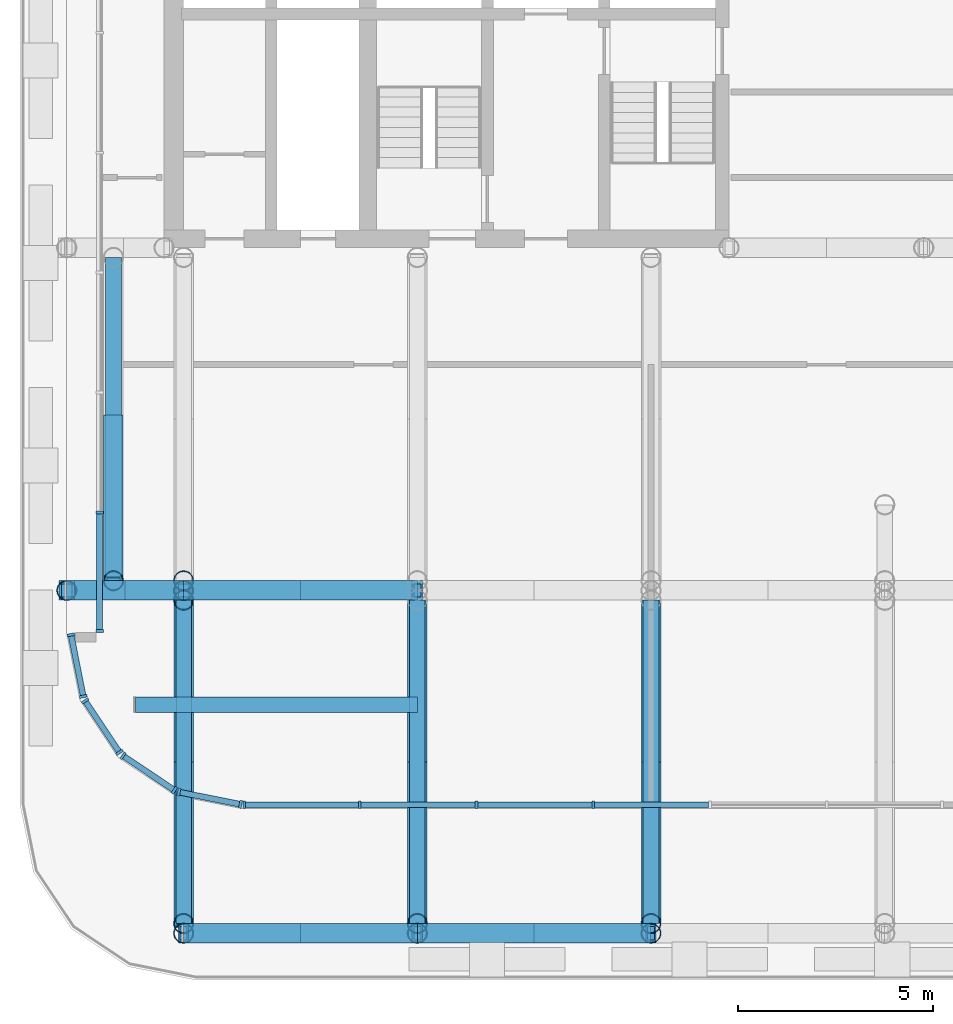
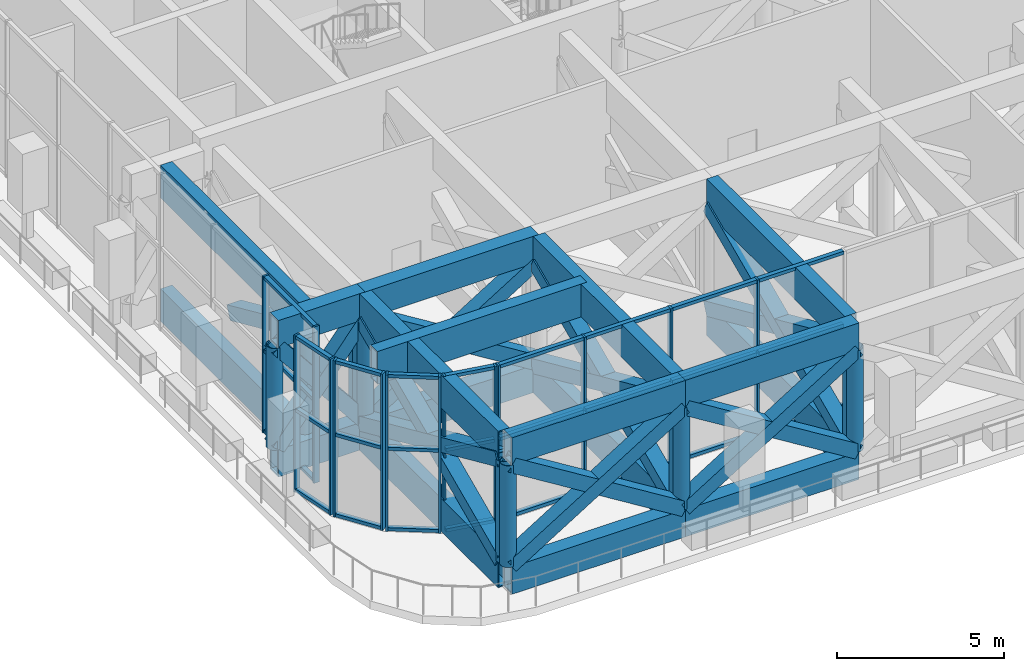
# One storey, part 1 of 20: 67 members, 17 beams, 6 elements without a shape of their own.
"""IFC4 building model written with IfcOpenShell, lengths in metres."""

from ifc_helpers import new_model, si_unit, direction, frame, origin, origin_2d, place, context, subcontext, project, spatial, rectangle, hollow_rectangle, hollow_circle, extrude, material, layer, layer_set, material_profile, profile_set, type_object, element, aggregate, save


model = new_model("IFC4")

# Units and contexts
model_context = context("Model", 3, precision=1e-05, world=origin(), true_north=direction((0.0, 1.0)))
body_context = subcontext(model_context, "Body", "Model", "MODEL_VIEW")
ifc_project = project(units=[si_unit("LENGTHUNIT", "METRE"), si_unit("AREAUNIT", "SQUARE_METRE"), si_unit("VOLUMEUNIT", "CUBIC_METRE"), si_unit("PLANEANGLEUNIT", "RADIAN"), si_unit("MASSUNIT", "GRAM", prefix="KILO")], contexts=[model_context])

# Site, building, storey
site_placement = place(None, origin())
site = spatial("IfcSite", under=ifc_project, at=site_placement, CompositionType="ELEMENT")
building_placement = place(site_placement, origin())
building = spatial("IfcBuilding", under=site, at=building_placement, Name="Torana Hotel and Residences", CompositionType="ELEMENT")
storey_placement = place(building_placement, frame((0.0, 0.0, 177.60009765625)))
storey = spatial("IfcBuildingStorey", under=building, at=storey_placement, Name="L46", CompositionType="ELEMENT", Elevation=177.60009765625)

# Curtain wall, members
ifc_material_1 = material(Name="Dark anodised aluminium", Category="aluminium")
ifc_layer = layer(ifc_material_1, 0.199951171875)
ifc_layer_set = layer_set([ifc_layer], Name="CW2 SKY LOBBY UNITISED CURTAIN WALL")
curtain_wall_type = type_object("IfcCurtainWallType", Name="CW2 SKY LOBBY UNITISED CURTAIN WALL", PredefinedType="NOTDEFINED", material=ifc_layer_set)
curtain_wall_1_placement = place(storey_placement, origin())
curtain_wall_1 = element("IfcCurtainWall", 1, at=curtain_wall_1_placement, inside=storey, type_object=curtain_wall_type, Name="Curtain wall CW2 L46 e0.9-1", PredefinedType="NOTDEFINED")
ifc_material_2 = material(Name="Dark anodised aluminium", Category="aluminium")
ifc_material_profile_1 = material_profile(ifc_material_2, rectangle(XDim=0.199951171875, YDim=0.070068359375, at=origin_2d()), Name="CW2 MULLION 70x200")
ifc_profile_set_1 = profile_set([ifc_material_profile_1], Name="Dark anodised aluminium")
member_type_1 = type_object("IfcMemberType", Name="CW2 MULLION 70x200", PredefinedType="MULLION", material=ifc_profile_set_1)
member_1_placement = place(storey_placement, frame((-26.155029296875, -21.796630859375, 0.0), z_axis=(0.0, 0.0, 1.0), x_axis=(1.0, 0.0, 0.0)))
member_1 = element("IfcMember", 2, at=member_1_placement, type_object=member_type_1, Name="CW2 mullion 7", PredefinedType="MULLION", context=body_context, shape_type="SweptSolid", body=[
    extrude(rectangle(XDim=0.199951171875, YDim=0.070068359375, at=origin_2d()), origin(), (0.0, 0.0, 1.0), 5.719970703125),
])
member_2_placement = place(storey_placement, frame((-26.155029296875, -24.84033203125, 0.0), z_axis=(0.0, 0.0, 1.0), x_axis=(1.0, 0.0, 0.0)))
member_2 = element("IfcMember", 3, at=member_2_placement, type_object=member_type_1, Name="CW2 mullion 8", PredefinedType="MULLION", context=body_context, shape_type="SweptSolid", body=[
    extrude(rectangle(XDim=0.199951171875, YDim=0.070068359375, at=origin_2d()), origin(), (0.0, 0.0, 1.0), 5.719970703125),
])

curtain_wall_2_placement = place(storey_placement, origin())
curtain_wall_2 = element("IfcCurtainWall", 4, at=curtain_wall_2_placement, inside=storey, type_object=curtain_wall_type, Name="Curtain wall CW2 L46 e0.10-1", PredefinedType="NOTDEFINED")
member_3_placement = place(storey_placement, frame((-26.890380859375, -24.93896484375, 0.0), z_axis=(0.0, 0.0, 1.0), x_axis=(0.980790545928, 0.195063848566, 0.0)))
member_3 = element("IfcMember", 5, at=member_3_placement, type_object=member_type_1, Name="CW2 mullion 1", PredefinedType="MULLION", context=body_context, shape_type="SweptSolid", body=[
    extrude(rectangle(XDim=0.199951171875, YDim=0.070068359375, at=origin_2d()), origin(), (0.0, 0.0, 1.0), 5.719970703125),
])
member_4_placement = place(storey_placement, frame((-26.575927734375, -26.51953125, 0.0), z_axis=(0.0, 0.0, 1.0), x_axis=(0.980790545928, 0.195063848566, 0.0)))
member_4 = element("IfcMember", 6, at=member_4_placement, type_object=member_type_1, Name="CW2 mullion 2", PredefinedType="MULLION", context=body_context, shape_type="SweptSolid", body=[
    extrude(rectangle(XDim=0.199951171875, YDim=0.070068359375, at=origin_2d()), origin(), (0.0, 0.0, 1.0), 5.719970703125),
])

curtain_wall_3_placement = place(storey_placement, origin())
curtain_wall_3 = element("IfcCurtainWall", 7, at=curtain_wall_3_placement, inside=storey, type_object=curtain_wall_type, Name="Curtain wall CW2 L46 e0.11-1", PredefinedType="NOTDEFINED")
member_5_placement = place(storey_placement, frame((-26.52734375, -26.636962890625, 0.0), z_axis=(0.0, 0.0, 1.0), x_axis=(0.831473968618, 0.555563713278, 0.0)))
member_5 = element("IfcMember", 8, at=member_5_placement, type_object=member_type_1, Name="CW2 mullion 1", PredefinedType="MULLION", context=body_context, shape_type="SweptSolid", body=[
    extrude(rectangle(XDim=0.199951171875, YDim=0.070068359375, at=origin_2d()), origin(), (0.0, 0.0, 1.0), 5.719970703125),
])
member_6_placement = place(storey_placement, frame((-25.64599609375, -27.9560546875, 0.0), z_axis=(0.0, 0.0, 1.0), x_axis=(0.831473968618, 0.555563713278, 0.0)))
member_6 = element("IfcMember", 9, at=member_6_placement, type_object=member_type_1, Name="CW2 mullion 2", PredefinedType="MULLION", context=body_context, shape_type="SweptSolid", body=[
    extrude(rectangle(XDim=0.199951171875, YDim=0.070068359375, at=origin_2d()), origin(), (0.0, 0.0, 1.0), 5.719970703125),
])

curtain_wall_4_placement = place(storey_placement, origin())
curtain_wall_4 = element("IfcCurtainWall", 10, at=curtain_wall_4_placement, inside=storey, type_object=curtain_wall_type, Name="Curtain wall CW2 L46 e0.12-1", PredefinedType="NOTDEFINED")
member_7_placement = place(storey_placement, frame((-25.555908203125, -28.0458984375, 0.0), z_axis=(0.0, 0.0, 1.0), x_axis=(0.555563713278, 0.831473968618, 0.0)))
member_7 = element("IfcMember", 11, at=member_7_placement, type_object=member_type_1, Name="CW2 mullion 1", PredefinedType="MULLION", context=body_context, shape_type="SweptSolid", body=[
    extrude(rectangle(XDim=0.199951171875, YDim=0.070068359375, at=origin_2d()), origin(), (0.0, 0.0, 1.0), 5.719970703125),
])
member_8_placement = place(storey_placement, frame((-24.237060546875, -28.92724609375, 0.0), z_axis=(0.0, 0.0, 1.0), x_axis=(0.555563713278, 0.831473968618, 0.0)))
member_8 = element("IfcMember", 12, at=member_8_placement, type_object=member_type_1, Name="CW2 mullion 2", PredefinedType="MULLION", context=body_context, shape_type="SweptSolid", body=[
    extrude(rectangle(XDim=0.199951171875, YDim=0.070068359375, at=origin_2d()), origin(), (0.0, 0.0, 1.0), 5.719970703125),
])

curtain_wall_5_placement = place(storey_placement, origin())
curtain_wall_5 = element("IfcCurtainWall", 13, at=curtain_wall_5_placement, inside=storey, type_object=curtain_wall_type, Name="Curtain wall CW2 L46 e0.13-1", PredefinedType="NOTDEFINED")
member_9_placement = place(storey_placement, frame((-24.119384765625, -28.975830078125, 0.0), z_axis=(0.0, 0.0, 1.0), x_axis=(0.195063848566, 0.980790545928, 0.0)))
member_9 = element("IfcMember", 14, at=member_9_placement, type_object=member_type_1, Name="CW2 mullion 1", PredefinedType="MULLION", context=body_context, shape_type="SweptSolid", body=[
    extrude(rectangle(XDim=0.199951171875, YDim=0.070068359375, at=origin_2d()), origin(), (0.0, 0.0, 1.0), 5.719970703125),
])
member_10_placement = place(storey_placement, frame((-22.538818359375, -29.290283203125, 0.0), z_axis=(0.0, 0.0, 1.0), x_axis=(0.195063848566, 0.980790545928, 0.0)))
member_10 = element("IfcMember", 15, at=member_10_placement, type_object=member_type_1, Name="CW2 mullion 2", PredefinedType="MULLION", context=body_context, shape_type="SweptSolid", body=[
    extrude(rectangle(XDim=0.199951171875, YDim=0.070068359375, at=origin_2d()), origin(), (0.0, 0.0, 1.0), 5.719970703125),
])

curtain_wall_6_placement = place(storey_placement, origin())
curtain_wall_6 = element("IfcCurtainWall", 16, at=curtain_wall_6_placement, inside=storey, type_object=curtain_wall_type, Name="Curtain wall CW2 L46 e0.14-1", PredefinedType="NOTDEFINED")
member_11_placement = place(storey_placement, frame((-22.4404296875, -29.300048828125, 0.0), z_axis=(0.0, 0.0, 1.0), x_axis=(0.0, 1.0, 0.0)))
member_11 = element("IfcMember", 17, at=member_11_placement, type_object=member_type_1, Name="CW2 mullion 1", PredefinedType="MULLION", context=body_context, shape_type="SweptSolid", body=[
    extrude(rectangle(XDim=0.199951171875, YDim=0.070068359375, at=origin_2d()), origin(), (0.0, 0.0, 1.0), 5.719970703125),
])
member_12_placement = place(storey_placement, frame((-19.478759765625, -29.300048828125, 0.0), z_axis=(0.0, 0.0, 1.0), x_axis=(0.0, 1.0, 0.0)))
member_12 = element("IfcMember", 18, at=member_12_placement, type_object=member_type_1, Name="CW2 mullion 2", PredefinedType="MULLION", context=body_context, shape_type="SweptSolid", body=[
    extrude(rectangle(XDim=0.199951171875, YDim=0.070068359375, at=origin_2d()), origin(), (0.0, 0.0, 1.0), 5.719970703125),
])
member_13_placement = place(storey_placement, frame((-16.48193359375, -29.300048828125, 0.0), z_axis=(0.0, 0.0, 1.0), x_axis=(0.0, 1.0, 0.0)))
member_13 = element("IfcMember", 19, at=member_13_placement, type_object=member_type_1, Name="CW2 mullion 3", PredefinedType="MULLION", context=body_context, shape_type="SweptSolid", body=[
    extrude(rectangle(XDim=0.199951171875, YDim=0.070068359375, at=origin_2d()), origin(), (0.0, 0.0, 1.0), 5.719970703125),
])
member_14_placement = place(storey_placement, frame((-13.4853515625, -29.300048828125, 0.0), z_axis=(0.0, 0.0, 1.0), x_axis=(0.0, 1.0, 0.0)))
member_14 = element("IfcMember", 20, at=member_14_placement, type_object=member_type_1, Name="CW2 mullion 4", PredefinedType="MULLION", context=body_context, shape_type="SweptSolid", body=[
    extrude(rectangle(XDim=0.199951171875, YDim=0.070068359375, at=origin_2d()), origin(), (0.0, 0.0, 1.0), 5.719970703125),
])

# Member
ifc_material_3 = material(Name="Dark anodised aluminium", Category="aluminium")
ifc_material_profile_2 = material_profile(ifc_material_3, rectangle(XDim=0.14990234375, YDim=0.1201171875, at=origin_2d()), Name="CW2 TRANSOM 150x120")
ifc_profile_set_2 = profile_set([ifc_material_profile_2], Name="Dark anodised aluminium")
member_type_2 = type_object("IfcMemberType", Name="CW2 TRANSOM 150x120", PredefinedType="USERDEFINED", material=ifc_profile_set_2)
member_15_placement = place(storey_placement, frame((-26.155029296875, -21.831787109375, 0.059814453125), z_axis=(0.0, -1.0, 0.0), x_axis=(1.0, 0.0, 0.0)))
member_15 = element("IfcMember", 21, at=member_15_placement, type_object=member_type_2, Name="CW2 transom 7.1", ObjectType="TRANSOM", PredefinedType="USERDEFINED", context=body_context, shape_type="SweptSolid", body=[
    extrude(rectangle(XDim=0.14990234375, YDim=0.1201171875, at=origin_2d()), origin(), (0.0, 0.0, 1.0), 2.9736328125),
])

member_16_placement = place(storey_placement, frame((-26.155029296875, -21.831787109375, 3.0), z_axis=(0.0, -1.0, 0.0), x_axis=(1.0, 0.0, 0.0)))
member_16 = element("IfcMember", 22, at=member_16_placement, type_object=member_type_2, Name="CW2 transom 7.2", ObjectType="TRANSOM", PredefinedType="USERDEFINED", context=body_context, shape_type="SweptSolid", body=[
    extrude(rectangle(XDim=0.14990234375, YDim=0.1201171875, at=origin_2d()), origin(), (0.0, 0.0, 1.0), 2.9736328125),
])

member_17_placement = place(storey_placement, frame((-26.155029296875, -21.831787109375, 5.659912109375), z_axis=(0.0, -1.0, 0.0), x_axis=(1.0, 0.0, 0.0)))
member_17 = element("IfcMember", 23, at=member_17_placement, type_object=member_type_2, Name="CW2 transom 7.3", ObjectType="TRANSOM", PredefinedType="USERDEFINED", context=body_context, shape_type="SweptSolid", body=[
    extrude(rectangle(XDim=0.14990234375, YDim=0.1201171875, at=origin_2d()), origin(), (0.0, 0.0, 1.0), 2.9736328125),
])

aggregate(curtain_wall_1, [member_1, member_2, member_15, member_16, member_17])

member_18_placement = place(storey_placement, frame((-26.883544921875, -24.97314453125, 0.059814453125), z_axis=(0.19511099609, -0.980781167848, 0.0), x_axis=(0.980781167848, 0.19511099609, 0.0)))
member_18 = element("IfcMember", 24, at=member_18_placement, type_object=member_type_2, Name="CW2 transom 1.1", ObjectType="TRANSOM", PredefinedType="USERDEFINED", context=body_context, shape_type="SweptSolid", body=[
    extrude(rectangle(XDim=0.14990234375, YDim=0.1201171875, at=origin_2d()), origin(), (0.0, 0.0, 1.0), 1.54150390625),
])

member_19_placement = place(storey_placement, frame((-26.883544921875, -24.97314453125, 3.0), z_axis=(0.19511099609, -0.980781167848, 0.0), x_axis=(0.980781167848, 0.19511099609, 0.0)))
member_19 = element("IfcMember", 25, at=member_19_placement, type_object=member_type_2, Name="CW2 transom 1.2", ObjectType="TRANSOM", PredefinedType="USERDEFINED", context=body_context, shape_type="SweptSolid", body=[
    extrude(rectangle(XDim=0.14990234375, YDim=0.1201171875, at=origin_2d()), origin(), (0.0, 0.0, 1.0), 1.54150390625),
])

member_20_placement = place(storey_placement, frame((-26.883544921875, -24.97314453125, 5.659912109375), z_axis=(0.19511099609, -0.980781167848, 0.0), x_axis=(0.980781167848, 0.19511099609, 0.0)))
member_20 = element("IfcMember", 26, at=member_20_placement, type_object=member_type_2, Name="CW2 transom 1.3", ObjectType="TRANSOM", PredefinedType="USERDEFINED", context=body_context, shape_type="SweptSolid", body=[
    extrude(rectangle(XDim=0.14990234375, YDim=0.1201171875, at=origin_2d()), origin(), (0.0, 0.0, 1.0), 1.54150390625),
])

aggregate(curtain_wall_2, [member_3, member_4, member_18, member_19, member_20])

member_21_placement = place(storey_placement, frame((-26.5078125, -26.666015625, 0.059814453125), z_axis=(0.555554355081, -0.831480221383, 0.0), x_axis=(0.831480221383, 0.555554355081, 0.0)))
member_21 = element("IfcMember", 27, at=member_21_placement, type_object=member_type_2, Name="CW2 transom 1.1", ObjectType="TRANSOM", PredefinedType="USERDEFINED", context=body_context, shape_type="SweptSolid", body=[
    extrude(rectangle(XDim=0.14990234375, YDim=0.1201171875, at=origin_2d()), origin(), (0.0, 0.0, 1.0), 1.5166015625),
])

member_22_placement = place(storey_placement, frame((-26.5078125, -26.666015625, 3.0), z_axis=(0.555554355081, -0.831480221383, 0.0), x_axis=(0.831480221383, 0.555554355081, 0.0)))
member_22 = element("IfcMember", 28, at=member_22_placement, type_object=member_type_2, Name="CW2 transom 1.2", ObjectType="TRANSOM", PredefinedType="USERDEFINED", context=body_context, shape_type="SweptSolid", body=[
    extrude(rectangle(XDim=0.14990234375, YDim=0.1201171875, at=origin_2d()), origin(), (0.0, 0.0, 1.0), 1.5166015625),
])

member_23_placement = place(storey_placement, frame((-26.5078125, -26.666015625, 5.659912109375), z_axis=(0.555554355081, -0.831480221383, 0.0), x_axis=(0.831480221383, 0.555554355081, 0.0)))
member_23 = element("IfcMember", 29, at=member_23_placement, type_object=member_type_2, Name="CW2 transom 1.3", ObjectType="TRANSOM", PredefinedType="USERDEFINED", context=body_context, shape_type="SweptSolid", body=[
    extrude(rectangle(XDim=0.14990234375, YDim=0.1201171875, at=origin_2d()), origin(), (0.0, 0.0, 1.0), 1.5166015625),
])

aggregate(curtain_wall_3, [member_5, member_6, member_21, member_22, member_23])

member_24_placement = place(storey_placement, frame((-25.52685546875, -28.0654296875, 0.059814453125), z_axis=(0.83150490354, -0.555517412319, 0.0), x_axis=(0.555517412319, 0.83150490354, 0.0)))
member_24 = element("IfcMember", 30, at=member_24_placement, type_object=member_type_2, Name="CW2 transom 1.1", ObjectType="TRANSOM", PredefinedType="USERDEFINED", context=body_context, shape_type="SweptSolid", body=[
    extrude(rectangle(XDim=0.14990234375, YDim=0.1201171875, at=origin_2d()), origin(), (0.0, 0.0, 1.0), 1.51611328125),
])

member_25_placement = place(storey_placement, frame((-25.52685546875, -28.0654296875, 3.0), z_axis=(0.83150490354, -0.555517412319, 0.0), x_axis=(0.555517412319, 0.83150490354, 0.0)))
member_25 = element("IfcMember", 31, at=member_25_placement, type_object=member_type_2, Name="CW2 transom 1.2", ObjectType="TRANSOM", PredefinedType="USERDEFINED", context=body_context, shape_type="SweptSolid", body=[
    extrude(rectangle(XDim=0.14990234375, YDim=0.1201171875, at=origin_2d()), origin(), (0.0, 0.0, 1.0), 1.51611328125),
])

member_26_placement = place(storey_placement, frame((-25.52685546875, -28.0654296875, 5.659912109375), z_axis=(0.83150490354, -0.555517412319, 0.0), x_axis=(0.555517412319, 0.83150490354, 0.0)))
member_26 = element("IfcMember", 32, at=member_26_placement, type_object=member_type_2, Name="CW2 transom 1.3", ObjectType="TRANSOM", PredefinedType="USERDEFINED", context=body_context, shape_type="SweptSolid", body=[
    extrude(rectangle(XDim=0.14990234375, YDim=0.1201171875, at=origin_2d()), origin(), (0.0, 0.0, 1.0), 1.51611328125),
])

aggregate(curtain_wall_4, [member_7, member_8, member_24, member_25, member_26])

member_27_placement = place(storey_placement, frame((-24.085205078125, -28.982666015625, 0.059814453125), z_axis=(0.980781167848, -0.19511099609, 0.0), x_axis=(0.19511099609, 0.980781167848, 0.0)))
member_27 = element("IfcMember", 33, at=member_27_placement, type_object=member_type_2, Name="CW2 transom 1.1", ObjectType="TRANSOM", PredefinedType="USERDEFINED", context=body_context, shape_type="SweptSolid", body=[
    extrude(rectangle(XDim=0.14990234375, YDim=0.1201171875, at=origin_2d()), origin(), (0.0, 0.0, 1.0), 1.54150390625),
])

member_28_placement = place(storey_placement, frame((-24.085205078125, -28.982666015625, 3.0), z_axis=(0.980781167848, -0.19511099609, 0.0), x_axis=(0.19511099609, 0.980781167848, 0.0)))
member_28 = element("IfcMember", 34, at=member_28_placement, type_object=member_type_2, Name="CW2 transom 1.2", ObjectType="TRANSOM", PredefinedType="USERDEFINED", context=body_context, shape_type="SweptSolid", body=[
    extrude(rectangle(XDim=0.14990234375, YDim=0.1201171875, at=origin_2d()), origin(), (0.0, 0.0, 1.0), 1.54150390625),
])

member_29_placement = place(storey_placement, frame((-24.085205078125, -28.982666015625, 5.659912109375), z_axis=(0.980781167848, -0.19511099609, 0.0), x_axis=(0.19511099609, 0.980781167848, 0.0)))
member_29 = element("IfcMember", 35, at=member_29_placement, type_object=member_type_2, Name="CW2 transom 1.3", ObjectType="TRANSOM", PredefinedType="USERDEFINED", context=body_context, shape_type="SweptSolid", body=[
    extrude(rectangle(XDim=0.14990234375, YDim=0.1201171875, at=origin_2d()), origin(), (0.0, 0.0, 1.0), 1.54150390625),
])

aggregate(curtain_wall_5, [member_9, member_10, member_27, member_28, member_29])

member_30_placement = place(storey_placement, frame((-22.405517578125, -29.300048828125, 0.059814453125), z_axis=(1.0, 0.0, 0.0), x_axis=(0.0, 1.0, 0.0)))
member_30 = element("IfcMember", 36, at=member_30_placement, type_object=member_type_2, Name="CW2 transom 1.1", ObjectType="TRANSOM", PredefinedType="USERDEFINED", context=body_context, shape_type="SweptSolid", body=[
    extrude(rectangle(XDim=0.14990234375, YDim=0.1201171875, at=origin_2d()), origin(), (0.0, 0.0, 1.0), 2.891845703125),
])

member_31_placement = place(storey_placement, frame((-22.405517578125, -29.300048828125, 3.0), z_axis=(1.0, 0.0, 0.0), x_axis=(0.0, 1.0, 0.0)))
member_31 = element("IfcMember", 37, at=member_31_placement, type_object=member_type_2, Name="CW2 transom 1.2", ObjectType="TRANSOM", PredefinedType="USERDEFINED", context=body_context, shape_type="SweptSolid", body=[
    extrude(rectangle(XDim=0.14990234375, YDim=0.1201171875, at=origin_2d()), origin(), (0.0, 0.0, 1.0), 2.891845703125),
])

member_32_placement = place(storey_placement, frame((-22.405517578125, -29.300048828125, 5.659912109375), z_axis=(1.0, 0.0, 0.0), x_axis=(0.0, 1.0, 0.0)))
member_32 = element("IfcMember", 38, at=member_32_placement, type_object=member_type_2, Name="CW2 transom 1.3", ObjectType="TRANSOM", PredefinedType="USERDEFINED", context=body_context, shape_type="SweptSolid", body=[
    extrude(rectangle(XDim=0.14990234375, YDim=0.1201171875, at=origin_2d()), origin(), (0.0, 0.0, 1.0), 2.891845703125),
])

member_33_placement = place(storey_placement, frame((-19.443603515625, -29.300048828125, 0.059814453125), z_axis=(1.0, 0.0, 0.0), x_axis=(0.0, 1.0, 0.0)))
member_33 = element("IfcMember", 39, at=member_33_placement, type_object=member_type_2, Name="CW2 transom 2.1", ObjectType="TRANSOM", PredefinedType="USERDEFINED", context=body_context, shape_type="SweptSolid", body=[
    extrude(rectangle(XDim=0.14990234375, YDim=0.1201171875, at=origin_2d()), origin(), (0.0, 0.0, 1.0), 2.9267578125),
])

member_34_placement = place(storey_placement, frame((-19.443603515625, -29.300048828125, 3.0), z_axis=(1.0, 0.0, 0.0), x_axis=(0.0, 1.0, 0.0)))
member_34 = element("IfcMember", 40, at=member_34_placement, type_object=member_type_2, Name="CW2 transom 2.2", ObjectType="TRANSOM", PredefinedType="USERDEFINED", context=body_context, shape_type="SweptSolid", body=[
    extrude(rectangle(XDim=0.14990234375, YDim=0.1201171875, at=origin_2d()), origin(), (0.0, 0.0, 1.0), 2.9267578125),
])

member_35_placement = place(storey_placement, frame((-19.443603515625, -29.300048828125, 5.659912109375), z_axis=(1.0, 0.0, 0.0), x_axis=(0.0, 1.0, 0.0)))
member_35 = element("IfcMember", 41, at=member_35_placement, type_object=member_type_2, Name="CW2 transom 2.3", ObjectType="TRANSOM", PredefinedType="USERDEFINED", context=body_context, shape_type="SweptSolid", body=[
    extrude(rectangle(XDim=0.14990234375, YDim=0.1201171875, at=origin_2d()), origin(), (0.0, 0.0, 1.0), 2.9267578125),
])

member_36_placement = place(storey_placement, frame((-16.447021484375, -29.300048828125, 0.059814453125), z_axis=(1.0, 0.0, 0.0), x_axis=(0.0, 1.0, 0.0)))
member_36 = element("IfcMember", 42, at=member_36_placement, type_object=member_type_2, Name="CW2 transom 3.1", ObjectType="TRANSOM", PredefinedType="USERDEFINED", context=body_context, shape_type="SweptSolid", body=[
    extrude(rectangle(XDim=0.14990234375, YDim=0.1201171875, at=origin_2d()), origin(), (0.0, 0.0, 1.0), 2.9267578125),
])

member_37_placement = place(storey_placement, frame((-16.447021484375, -29.300048828125, 3.0), z_axis=(1.0, 0.0, 0.0), x_axis=(0.0, 1.0, 0.0)))
member_37 = element("IfcMember", 43, at=member_37_placement, type_object=member_type_2, Name="CW2 transom 3.2", ObjectType="TRANSOM", PredefinedType="USERDEFINED", context=body_context, shape_type="SweptSolid", body=[
    extrude(rectangle(XDim=0.14990234375, YDim=0.1201171875, at=origin_2d()), origin(), (0.0, 0.0, 1.0), 2.9267578125),
])

member_38_placement = place(storey_placement, frame((-16.447021484375, -29.300048828125, 5.659912109375), z_axis=(1.0, 0.0, 0.0), x_axis=(0.0, 1.0, 0.0)))
member_38 = element("IfcMember", 44, at=member_38_placement, type_object=member_type_2, Name="CW2 transom 3.3", ObjectType="TRANSOM", PredefinedType="USERDEFINED", context=body_context, shape_type="SweptSolid", body=[
    extrude(rectangle(XDim=0.14990234375, YDim=0.1201171875, at=origin_2d()), origin(), (0.0, 0.0, 1.0), 2.9267578125),
])

member_39_placement = place(storey_placement, frame((-13.4501953125, -29.300048828125, 0.059814453125), z_axis=(1.0, 0.0, 0.0), x_axis=(0.0, 1.0, 0.0)))
member_39 = element("IfcMember", 45, at=member_39_placement, type_object=member_type_2, Name="CW2 transom 4.1", ObjectType="TRANSOM", PredefinedType="USERDEFINED", context=body_context, shape_type="SweptSolid", body=[
    extrude(rectangle(XDim=0.14990234375, YDim=0.1201171875, at=origin_2d()), origin(), (0.0, 0.0, 1.0), 2.9267578125),
])

member_40_placement = place(storey_placement, frame((-13.4501953125, -29.300048828125, 3.0), z_axis=(1.0, 0.0, 0.0), x_axis=(0.0, 1.0, 0.0)))
member_40 = element("IfcMember", 46, at=member_40_placement, type_object=member_type_2, Name="CW2 transom 4.2", ObjectType="TRANSOM", PredefinedType="USERDEFINED", context=body_context, shape_type="SweptSolid", body=[
    extrude(rectangle(XDim=0.14990234375, YDim=0.1201171875, at=origin_2d()), origin(), (0.0, 0.0, 1.0), 2.9267578125),
])

member_41_placement = place(storey_placement, frame((-13.4501953125, -29.300048828125, 5.659912109375), z_axis=(1.0, 0.0, 0.0), x_axis=(0.0, 1.0, 0.0)))
member_41 = element("IfcMember", 47, at=member_41_placement, type_object=member_type_2, Name="CW2 transom 4.3", ObjectType="TRANSOM", PredefinedType="USERDEFINED", context=body_context, shape_type="SweptSolid", body=[
    extrude(rectangle(XDim=0.14990234375, YDim=0.1201171875, at=origin_2d()), origin(), (0.0, 0.0, 1.0), 2.9267578125),
])

aggregate(curtain_wall_6, [member_11, member_12, member_13, member_14, member_30, member_31, member_32, member_33, member_34, member_35, member_36, member_37, member_38, member_39, member_40, member_41])

# Beams
ifc_material_4 = material(Name="Steel S355", Category="steel")
ifc_material_profile_3 = material_profile(ifc_material_4, hollow_rectangle(XDim=0.5, YDim=1.0, WallThickness=0.050048828125, at=origin_2d()), Name="BOX 1000x500x50")
ifc_profile_set_3 = profile_set([ifc_material_profile_3], Name="Steel S355")
beam_type_1 = type_object("IfcBeamType", Name="STEEL CHORD BOX 1000x500x50", PredefinedType="BEAM", material=ifc_profile_set_3)
for number, where, z_axis, x_axis, name in (
    (48, (-24.0, -32.60009765625, 0.5), (1.0, 0.0, 0.0), (0.0, 1.0, 0.0), "Transfer chord L46"),
    (49, (-24.0, -32.60009765625, 5.219970703125), (1.0, 0.0, 0.0), (0.0, 1.0, 0.0), "Transfer chord L46"),
    (50, (-18.0, -32.60009765625, 0.5), (1.0, 0.0, 0.0), (0.0, 1.0, 0.0), "Transfer chord L46"),
    (51, (-18.0, -32.60009765625, 5.219970703125), (1.0, 0.0, 0.0), (0.0, 1.0, 0.0), "Transfer chord L46"),
):
    element("IfcBeam", number, at=place(storey_placement, frame(where, z_axis=z_axis, x_axis=x_axis)), inside=storey, type_object=beam_type_1, Name=name, PredefinedType="BEAM", context=body_context, shape_type="SweptSolid", body=[
        extrude(hollow_rectangle(XDim=0.5, YDim=1.0, WallThickness=0.050048828125, at=origin_2d()), origin(), (0.0, 0.0, 1.0), 6.0),
    ])
for number, where, z_axis, x_axis, name in (
    (52, (-27.0, -23.800048828125, 0.5), (1.0, 0.0, 0.0), (0.0, 1.0, 0.0), "Transfer chord L46"),
    (53, (-27.0, -23.800048828125, 5.219970703125), (1.0, 0.0, 0.0), (0.0, 1.0, 0.0), "Transfer chord L46"),
):
    element("IfcBeam", number, at=place(storey_placement, frame(where, z_axis=z_axis, x_axis=x_axis)), inside=storey, type_object=beam_type_1, Name=name, PredefinedType="BEAM", context=body_context, shape_type="SweptSolid", body=[
        extrude(hollow_rectangle(XDim=0.5, YDim=1.0, WallThickness=0.050048828125, at=origin_2d()), origin(), (0.0, 0.0, 1.0), 3.0),
    ])
for number, where, z_axis, x_axis, name in (
    (54, (-24.0, -23.800048828125, 0.5), (1.0, 0.0, 0.0), (0.0, 1.0, 0.0), "Transfer chord L46"),
    (55, (-24.0, -23.800048828125, 5.219970703125), (1.0, 0.0, 0.0), (0.0, 1.0, 0.0), "Transfer chord L46"),
):
    element("IfcBeam", number, at=place(storey_placement, frame(where, z_axis=z_axis, x_axis=x_axis)), inside=storey, type_object=beam_type_1, Name=name, PredefinedType="BEAM", context=body_context, shape_type="SweptSolid", body=[
        extrude(hollow_rectangle(XDim=0.5, YDim=1.0, WallThickness=0.050048828125, at=origin_2d()), origin(), (0.0, 0.0, 1.0), 6.0),
    ])
ifc_material_5 = material(Name="Steel S355", Category="steel")
ifc_material_profile_4 = material_profile(ifc_material_5, hollow_rectangle(XDim=0.39990234375, YDim=1.199951171875, WallThickness=0.0400390625, at=origin_2d()), Name="BOX 1200x400x40")
ifc_profile_set_4 = profile_set([ifc_material_profile_4], Name="Steel S355")
beam_type_2 = type_object("IfcBeamType", Name="STEEL CHORD BOX 1200x400x40", PredefinedType="BEAM", material=ifc_profile_set_4)
for number, where, z_axis, x_axis, name in (
    (56, (-25.800048828125, -23.550048828125, 0.599853515625), (0.0, 1.0, 0.0), (-1.0, 0.0, 0.0), "Transfer chord L46"),
    (57, (-25.800048828125, -23.550048828125, 5.119873046875), (0.0, 1.0, 0.0), (-1.0, 0.0, 0.0), "Transfer chord L46"),
    (58, (-24.0, -32.35009765625, 0.599853515625), (0.0, 1.0, 0.0), (-1.0, 0.0, 0.0), "Transfer chord L46"),
    (59, (-24.0, -32.35009765625, 5.119873046875), (0.0, 1.0, 0.0), (-1.0, 0.0, 0.0), "Transfer chord L46"),
    (60, (-18.0, -32.35009765625, 0.599853515625), (0.0, 1.0, 0.0), (-1.0, 0.0, 0.0), "Transfer chord L46"),
    (61, (-18.0, -32.35009765625, 5.119873046875), (0.0, 1.0, 0.0), (-1.0, 0.0, 0.0), "Transfer chord L46"),
    (62, (-12.0, -32.35009765625, 0.599853515625), (0.0, 1.0, 0.0), (-1.0, 0.0, 0.0), "Transfer chord L46"),
    (63, (-12.0, -32.35009765625, 5.119873046875), (0.0, 1.0, 0.0), (-1.0, 0.0, 0.0), "Transfer chord L46"),
):
    element("IfcBeam", number, at=place(storey_placement, frame(where, z_axis=z_axis, x_axis=x_axis)), inside=storey, type_object=beam_type_2, Name=name, PredefinedType="BEAM", context=body_context, shape_type="SweptSolid", body=[
        extrude(hollow_rectangle(XDim=0.39990234375, YDim=1.199951171875, WallThickness=0.0400390625, at=origin_2d()), origin(), (0.0, 0.0, 1.0), 8.300048828125),
    ])
beam_placement = place(storey_placement, frame((-25.239990234375, -26.72998046875, 5.119873046875), z_axis=(1.0, 0.0, 0.0), x_axis=(0.0, 1.0, 0.0)))
element("IfcBeam", 64, at=beam_placement, inside=storey, type_object=beam_type_2, Name="Transfer link L46", PredefinedType="BEAM", context=body_context, shape_type="SweptSolid", body=[
    extrude(hollow_rectangle(XDim=0.39990234375, YDim=1.199951171875, WallThickness=0.0400390625, at=origin_2d()), origin(), (0.0, 0.0, 1.0), 7.239990234375),
])

# Members
ifc_material_6 = material(Name="Steel S355", Category="steel")
ifc_material_profile_5 = material_profile(ifc_material_6, hollow_rectangle(XDim=0.5, YDim=0.5, WallThickness=0.080078125, at=origin_2d()), Name="BOX 500x500x80")
ifc_profile_set_5 = profile_set([ifc_material_profile_5], Name="Steel S355")
member_type_3 = type_object("IfcMemberType", Name="STEEL DIAGONAL BOX 500x500x80", PredefinedType="BRACE", material=ifc_profile_set_5)
for number, where, z_axis, x_axis, name in (
    (65, (-24.0, -32.60009765625, 1.0), (0.84990455024, 0.0, 0.526936671224), (0.0, 1.0, 0.0), "Truss diagonal L46"),
    (66, (-18.0, -32.60009765625, 1.0), (-0.84990455024, 0.0, 0.526936671224), (0.0, -1.0, 0.0), "Truss diagonal L46"),
    (67, (-18.0, -32.60009765625, 1.0), (0.84990455024, 0.0, 0.526936671224), (0.0, 1.0, 0.0), "Truss diagonal L46"),
    (68, (-12.0, -32.60009765625, 1.0), (-0.84990455024, 0.0, 0.526936671224), (0.0, -1.0, 0.0), "Truss diagonal L46"),
):
    element("IfcMember", number, at=place(storey_placement, frame(where, z_axis=z_axis, x_axis=x_axis)), inside=storey, type_object=member_type_3, Name=name, PredefinedType="BRACE", context=body_context, shape_type="SweptSolid", body=[
        extrude(hollow_rectangle(XDim=0.5, YDim=0.5, WallThickness=0.080078125, at=origin_2d()), origin(), (0.0, 0.0, 1.0), 7.0595703125),
    ])
for number, where, z_axis, x_axis, name in (
    (69, (-27.0, -23.800048828125, 1.0), (0.627755446821, 0.0, 0.778410623634), (0.0, 1.0, 0.0), "Truss diagonal L46"),
    (70, (-24.0, -23.800048828125, 1.0), (-0.627755446821, 0.0, 0.778410623634), (0.0, -1.0, 0.0), "Truss diagonal L46"),
):
    element("IfcMember", number, at=place(storey_placement, frame(where, z_axis=z_axis, x_axis=x_axis)), inside=storey, type_object=member_type_3, Name=name, PredefinedType="BRACE", context=body_context, shape_type="SweptSolid", body=[
        extrude(hollow_rectangle(XDim=0.5, YDim=0.5, WallThickness=0.080078125, at=origin_2d()), origin(), (0.0, 0.0, 1.0), 4.779052734375),
    ])
for number, where, z_axis, x_axis, name in (
    (71, (-24.0, -23.800048828125, 1.0), (0.84990455024, 0.0, 0.526936671224), (0.0, 1.0, 0.0), "Truss diagonal L46"),
    (72, (-18.0, -23.800048828125, 1.0), (-0.84990455024, 0.0, 0.526936671224), (0.0, -1.0, 0.0), "Truss diagonal L46"),
):
    element("IfcMember", number, at=place(storey_placement, frame(where, z_axis=z_axis, x_axis=x_axis)), inside=storey, type_object=member_type_3, Name=name, PredefinedType="BRACE", context=body_context, shape_type="SweptSolid", body=[
        extrude(hollow_rectangle(XDim=0.5, YDim=0.5, WallThickness=0.080078125, at=origin_2d()), origin(), (0.0, 0.0, 1.0), 7.0595703125),
    ])
member_42_placement = place(storey_placement, frame((-25.800048828125, -19.39990234375, 2.85986328125), z_axis=(0.0, -0.912534197093, 0.409000414592), x_axis=(1.0, 0.0, 0.0)))
element("IfcMember", 73, at=member_42_placement, inside=storey, type_object=member_type_3, Name="Truss diagonal L46", PredefinedType="BRACE", context=body_context, shape_type="SweptSolid", body=[
    extrude(hollow_rectangle(XDim=0.5, YDim=0.5, WallThickness=0.080078125, at=origin_2d()), origin(), (0.0, 0.0, 1.0), 4.5478515625),
])
for number, where, z_axis, x_axis, name in (
    (74, (-24.0, -32.35009765625, 1.0), (0.0, 0.912539724952, 0.408988080981), (-1.0, 0.0, 0.0), "Truss diagonal L46"),
    (75, (-24.0, -24.050048828125, 1.0), (0.0, -0.912539724952, 0.408988080981), (1.0, 0.0, 0.0), "Truss diagonal L46"),
    (76, (-18.0, -32.35009765625, 1.0), (0.0, 0.912539724952, 0.408988080981), (-1.0, 0.0, 0.0), "Truss diagonal L46"),
    (77, (-18.0, -24.050048828125, 1.0), (0.0, -0.912539724952, 0.408988080981), (1.0, 0.0, 0.0), "Truss diagonal L46"),
    (78, (-12.0, -32.35009765625, 1.0), (0.0, 0.912539724952, 0.408988080981), (-1.0, 0.0, 0.0), "Truss diagonal L46"),
    (79, (-12.0, -24.050048828125, 1.0), (0.0, -0.912539724952, 0.408988080981), (1.0, 0.0, 0.0), "Truss diagonal L46"),
):
    element("IfcMember", number, at=place(storey_placement, frame(where, z_axis=z_axis, x_axis=x_axis)), inside=storey, type_object=member_type_3, Name=name, PredefinedType="BRACE", context=body_context, shape_type="SweptSolid", body=[
        extrude(hollow_rectangle(XDim=0.5, YDim=0.5, WallThickness=0.080078125, at=origin_2d()), origin(), (0.0, 0.0, 1.0), 9.095458984375),
    ])
ifc_material_7 = material(Name="Steel S355", Category="steel")
ifc_material_profile_6 = material_profile(ifc_material_7, hollow_circle(Radius=0.25390625, WallThickness=0.01611328125, at=origin_2d()), Name="508x16 CHS")
ifc_profile_set_6 = profile_set([ifc_material_profile_6], Name="Steel S355")
member_type_4 = type_object("IfcMemberType", Name="STEEL POST 508x16 CHS", PredefinedType="POST", material=ifc_profile_set_6)
for number, where, z_axis, x_axis, name in (
    (80, (-24.0, -32.60009765625, 1.0), (0.0, 0.0, 1.0), (1.0, 0.0, 0.0), "Truss post L46"),
    (81, (-18.0, -32.60009765625, 1.0), (0.0, 0.0, 1.0), (1.0, 0.0, 0.0), "Truss post L46"),
    (82, (-12.0, -32.60009765625, 1.0), (0.0, 0.0, 1.0), (1.0, 0.0, 0.0), "Truss post L46"),
    (83, (-27.0, -23.800048828125, 1.0), (0.0, 0.0, 1.0), (1.0, 0.0, 0.0), "Truss post L46"),
    (84, (-24.0, -23.800048828125, 1.0), (0.0, 0.0, 1.0), (1.0, 0.0, 0.0), "Truss post L46"),
    (85, (-25.800048828125, -23.550048828125, 1.0), (0.0, 0.0, 1.0), (1.0, 0.0, 0.0), "Truss post L46"),
    (86, (-24.0, -32.35009765625, 1.0), (0.0, 0.0, 1.0), (1.0, 0.0, 0.0), "Truss post L46"),
    (87, (-24.0, -24.050048828125, 1.0), (0.0, 0.0, 1.0), (1.0, 0.0, 0.0), "Truss post L46"),
    (88, (-24.0, -23.550048828125, 1.0), (0.0, 0.0, 1.0), (1.0, 0.0, 0.0), "Truss post L46"),
    (89, (-18.0, -32.35009765625, 1.0), (0.0, 0.0, 1.0), (1.0, 0.0, 0.0), "Truss post L46"),
    (90, (-12.0, -32.35009765625, 1.0), (0.0, 0.0, 1.0), (1.0, 0.0, 0.0), "Truss post L46"),
):
    element("IfcMember", number, at=place(storey_placement, frame(where, z_axis=z_axis, x_axis=x_axis)), inside=storey, type_object=member_type_4, Name=name, PredefinedType="POST", context=body_context, shape_type="SweptSolid", body=[
        extrude(hollow_circle(Radius=0.25390625, WallThickness=0.01611328125, at=origin_2d()), origin(), (0.0, 0.0, 1.0), 3.719970703125),
    ])

save(model, "model.ifc")
